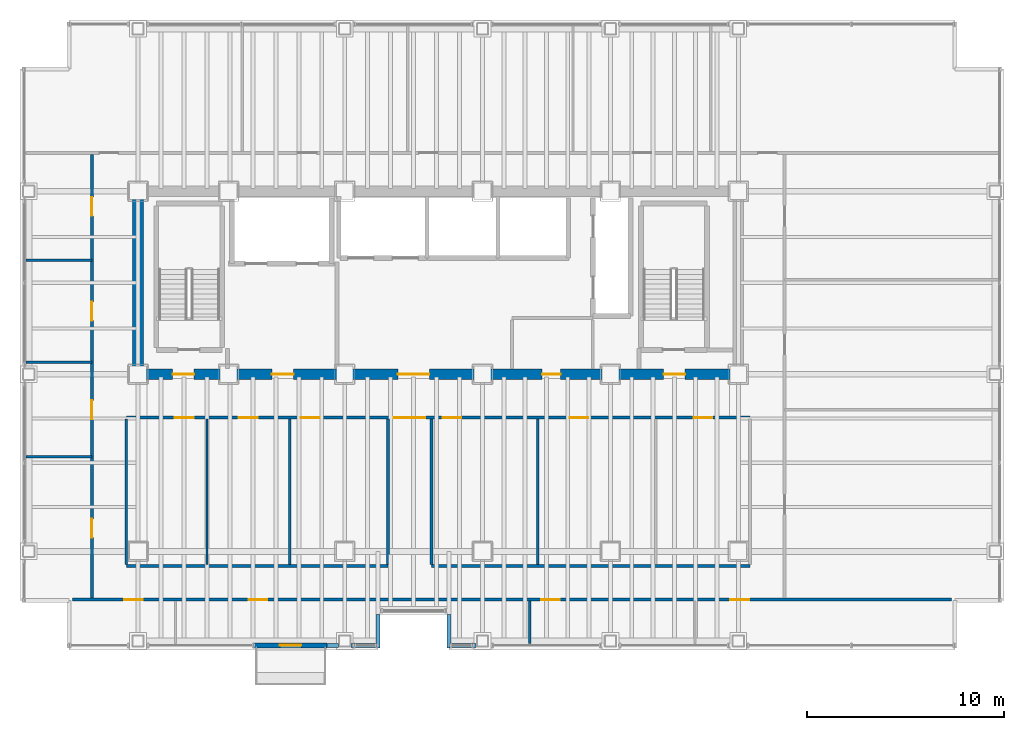
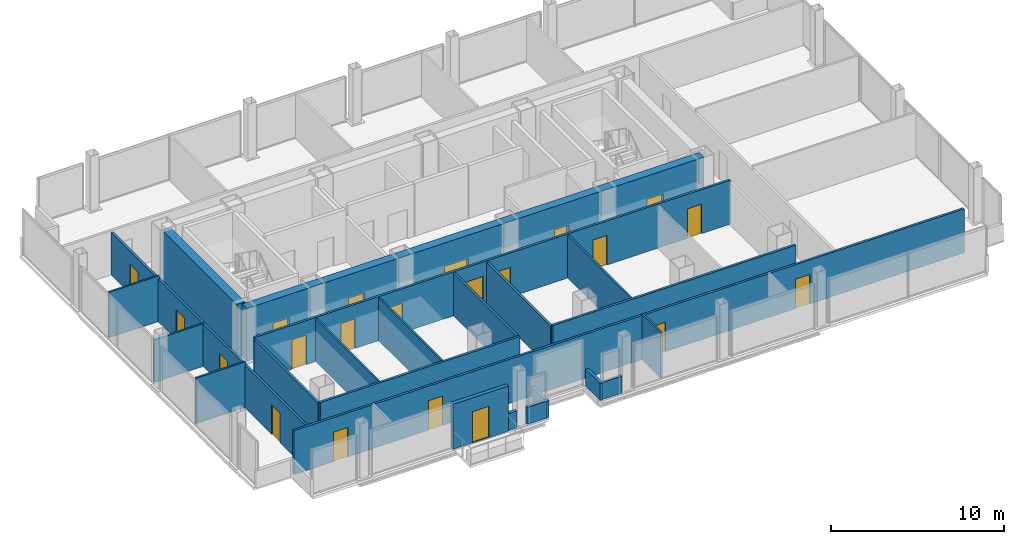
# One storey, part 17 of 20: 23 walls, 21 doors, 21 openings.
"""IFC4 building model written with IfcOpenShell, lengths in metres."""

from ifc_helpers import new_model, si_unit, direction, frame, frame_2d, origin, place, context, subcontext, project, spatial, rectangle, extrude, material, layer, layer_set, type_object, element, fill, save


model = new_model("IFC4")

# Units and contexts
model_context = context("Model", 3, precision=1e-05, world=origin(), true_north=direction((0.0, 1.0)))
body_context = subcontext(model_context, "Body", "Model", "MODEL_VIEW")
ifc_project = project(units=[si_unit("LENGTHUNIT", "METRE"), si_unit("AREAUNIT", "SQUARE_METRE"), si_unit("VOLUMEUNIT", "CUBIC_METRE"), si_unit("PLANEANGLEUNIT", "RADIAN"), si_unit("MASSUNIT", "GRAM", prefix="KILO")], contexts=[model_context])

# Site, building, storey
site_placement = place(None, origin())
site = spatial("IfcSite", under=ifc_project, at=site_placement, CompositionType="ELEMENT")
building_placement = place(site_placement, origin())
building = spatial("IfcBuilding", under=site, at=building_placement, Name="Noeulbin Bourse Tower", CompositionType="ELEMENT")
storey_placement = place(building_placement, frame((0.0, 0.0, 57.699951171875)))
storey = spatial("IfcBuildingStorey", under=building, at=storey_placement, Name="L14", CompositionType="ELEMENT", Elevation=57.699951171875)

# Wall, openings, doors
ifc_material_1 = material(Name="Concrete C60/75", Category="concrete")
ifc_layer_1 = layer(ifc_material_1, 0.550048828125)
ifc_layer_set_1 = layer_set([ifc_layer_1], Name="Concrete C60/75")
wall_type_1 = type_object("IfcWallType", Name="WAL-CORE-550", PredefinedType="SHEAR", material=ifc_layer_set_1)
wall_1_placement = place(storey_placement, frame((13.5, 29.0, 0.0), z_axis=(0.0, 0.0, 1.0), x_axis=(1.0, 0.0, 0.0)))
wall_1 = element("IfcWall", 1, at=wall_1_placement, inside=storey, type_object=wall_type_1, Name="Rear Core South Shear Wall L14", PredefinedType="SHEAR", context=body_context, shape_type="SweptSolid", body=[
    extrude(rectangle(XDim=30.5, YDim=0.550048828125, at=frame_2d((15.25, 0.0))), origin(), (0.0, 0.0, 1.0), 3.719970703125),
])
opening_1_placement = place(wall_1_placement, frame((1.75, 0.0, 0.0)))
opening_1 = element("IfcOpeningElement", 2, at=opening_1_placement, cuts=wall_1, Name="Opening FD-11", PredefinedType="OPENING", context=body_context, shape_type="SweptSolid", body=[
    extrude(rectangle(XDim=1.10009765625, YDim=2.080078125, at=frame_2d((0.550048828125, 1.0400390625))), frame((0.0, 0.284912109375, 0.0), z_axis=(0.0, -1.0, 0.0), x_axis=(1.0, 0.0, 0.0)), (0.0, 0.0, 1.0), 0.570068359375),
])
opening_2_placement = place(wall_1_placement, frame((26.699951171875, 0.0, 0.0)))
opening_2 = element("IfcOpeningElement", 3, at=opening_2_placement, cuts=wall_1, Name="Opening FD-11", PredefinedType="OPENING", context=body_context, shape_type="SweptSolid", body=[
    extrude(rectangle(XDim=1.10009765625, YDim=2.080078125, at=frame_2d((0.550048828125, 1.0400390625))), frame((0.0, 0.284912109375, 0.0), z_axis=(0.0, -1.0, 0.0), x_axis=(1.0, 0.0, 0.0)), (0.0, 0.0, 1.0), 0.570068359375),
])
opening_3_placement = place(wall_1_placement, frame((6.800048828125, 0.0, 0.0)))
opening_3 = element("IfcOpeningElement", 4, at=opening_3_placement, cuts=wall_1, Name="Opening FD-11", PredefinedType="OPENING", context=body_context, shape_type="SweptSolid", body=[
    extrude(rectangle(XDim=1.10009765625, YDim=2.080078125, at=frame_2d((0.550048828125, 1.0400390625))), frame((0.0, 0.284912109375, 0.0), z_axis=(0.0, -1.0, 0.0), x_axis=(1.0, 0.0, 0.0)), (0.0, 0.0, 1.0), 0.570068359375),
])
opening_4_placement = place(wall_1_placement, frame((13.199951171875, 0.0, 0.0)))
opening_4 = element("IfcOpeningElement", 5, at=opening_4_placement, cuts=wall_1, Name="Opening ID-16", PredefinedType="OPENING", context=body_context, shape_type="SweptSolid", body=[
    extrude(rectangle(XDim=1.60009765625, YDim=2.080078125, at=frame_2d((0.800048828125, 1.0400390625))), frame((0.0, 0.284912109375, 0.0), z_axis=(0.0, -1.0, 0.0), x_axis=(1.0, 0.0, 0.0)), (0.0, 0.0, 1.0), 0.570068359375),
])
opening_5_placement = place(wall_1_placement, frame((20.52490234375, 0.0, 0.0)))
opening_5 = element("IfcOpeningElement", 6, at=opening_5_placement, cuts=wall_1, Name="Opening ID-09", PredefinedType="OPENING", context=body_context, shape_type="SweptSolid", body=[
    extrude(rectangle(XDim=0.949951171875, YDim=2.080078125, at=frame_2d((0.47509765625, 1.0400390625))), frame((0.0, 0.284912109375, 0.0), z_axis=(0.0, -1.0, 0.0), x_axis=(1.0, 0.0, 0.0)), (0.0, 0.0, 1.0), 0.570068359375),
])
ifc_material_2 = material(Name="Acoustic Glazed Aluminium", Category="aluminium")
door_type_1 = type_object("IfcDoorType", Name="DR-DBL-1600", OperationType="DOUBLE_DOOR_SINGLE_SWING", PredefinedType="DOOR", material=ifc_material_2)
door_1_placement = place(opening_4_placement, origin())
door_1 = element("IfcDoor", 7, at=door_1_placement, inside=storey, type_object=door_type_1, Name="Passenger Lift Lobby Portal L14", OperationType="DOUBLE_DOOR_SINGLE_SWING", OverallHeight=2.080078125, OverallWidth=1.60009765625, PredefinedType="DOOR", context=body_context, shape_type="SweptSolid", body=[
    extrude(rectangle(XDim=1.60009765625, YDim=2.080078125, at=frame_2d((0.800048828125, 1.0400390625))), frame((0.0, 0.02490234375, 0.0), z_axis=(0.0, -1.0, 0.0), x_axis=(1.0, 0.0, 0.0)), (0.0, 0.0, 1.0), 0.050048828125),
])
fill(opening_4, door_1)
ifc_material_3 = material(Name="Fire-Rated Insulated Steel", Category="steel")
door_type_2 = type_object("IfcDoorType", Name="DR-FD60-1100", OperationType="SINGLE_SWING_LEFT", PredefinedType="DOOR", material=ifc_material_3)
door_2_placement = place(opening_1_placement, origin())
door_2 = element("IfcDoor", 8, at=door_2_placement, inside=storey, type_object=door_type_2, Name="West Stair Lobby Door L14", OperationType="SINGLE_SWING_LEFT", OverallHeight=2.080078125, OverallWidth=1.10009765625, PredefinedType="DOOR", context=body_context, shape_type="SweptSolid", body=[
    extrude(rectangle(XDim=1.10009765625, YDim=2.080078125, at=frame_2d((0.550048828125, 1.0400390625))), frame((0.0, 0.02490234375, 0.0), z_axis=(0.0, -1.0, 0.0), x_axis=(1.0, 0.0, 0.0)), (0.0, 0.0, 1.0), 0.050048828125),
])
fill(opening_1, door_2)
door_3_placement = place(opening_2_placement, origin())
door_3 = element("IfcDoor", 9, at=door_3_placement, inside=storey, type_object=door_type_2, Name="East Stair Lobby Door L14", OperationType="SINGLE_SWING_RIGHT", OverallHeight=2.080078125, OverallWidth=1.10009765625, PredefinedType="DOOR", context=body_context, shape_type="SweptSolid", body=[
    extrude(rectangle(XDim=1.10009765625, YDim=2.080078125, at=frame_2d((0.550048828125, 1.0400390625))), frame((0.0, 0.02490234375, 0.0), z_axis=(0.0, -1.0, 0.0), x_axis=(1.0, 0.0, 0.0)), (0.0, 0.0, 1.0), 0.050048828125),
])
fill(opening_2, door_3)
door_4_placement = place(opening_3_placement, origin())
door_4 = element("IfcDoor", 10, at=door_4_placement, inside=storey, type_object=door_type_2, Name="Firefighting Lobby Door L14", OperationType="SINGLE_SWING_LEFT", OverallHeight=2.080078125, OverallWidth=1.10009765625, PredefinedType="DOOR", context=body_context, shape_type="SweptSolid", body=[
    extrude(rectangle(XDim=1.10009765625, YDim=2.080078125, at=frame_2d((0.550048828125, 1.0400390625))), frame((0.0, 0.02490234375, 0.0), z_axis=(0.0, -1.0, 0.0), x_axis=(1.0, 0.0, 0.0)), (0.0, 0.0, 1.0), 0.050048828125),
])
fill(opening_3, door_4)
ifc_material_4 = material(Name="Acoustic Solid-Core Timber", Category="wood")
door_type_3 = type_object("IfcDoorType", Name="DR-SINGLE-950", OperationType="SINGLE_SWING_LEFT", PredefinedType="DOOR", material=ifc_material_4)
door_5_placement = place(opening_5_placement, origin())
door_5 = element("IfcDoor", 11, at=door_5_placement, inside=storey, type_object=door_type_3, Name="Interior Door L14-05", OperationType="SINGLE_SWING_LEFT", OverallHeight=2.080078125, OverallWidth=0.949951171875, PredefinedType="DOOR", context=body_context, shape_type="SweptSolid", body=[
    extrude(rectangle(XDim=0.949951171875, YDim=2.080078125, at=frame_2d((0.47509765625, 1.0400390625))), frame((0.0, 0.02490234375, 0.0), z_axis=(0.0, -1.0, 0.0), x_axis=(1.0, 0.0, 0.0)), (0.0, 0.0, 1.0), 0.050048828125),
])
fill(opening_5, door_5)

# Wall
wall_2_placement = place(storey_placement, frame((13.5, 29.35009765625, 0.0), z_axis=(0.0, 0.0, 1.0), x_axis=(0.0, 1.0, 0.0)))
element("IfcWall", 12, at=wall_2_placement, inside=storey, type_object=wall_type_1, Name="Rear Core West Shear Wall L14", PredefinedType="SHEAR", context=body_context, shape_type="SweptSolid", body=[
    extrude(rectangle(XDim=8.599853515625, YDim=0.550048828125, at=frame_2d((4.2998046875, 0.0))), origin(), (0.0, 0.0, 1.0), 3.719970703125),
])

# Wall, opening, door
ifc_material_5 = material(Name="Precast Concrete C40/50", Category="concrete")
ifc_layer_2 = layer(ifc_material_5, 0.25)
ifc_layer_set_2 = layer_set([ifc_layer_2], Name="Precast Concrete C40/50")
wall_type_2 = type_object("IfcWallType", Name="WAL-EXT-250", PredefinedType="STANDARD", material=ifc_layer_set_2)
wall_3_placement = place(storey_placement, frame((19.39990234375, 15.219970703125, 0.0), z_axis=(0.0, 0.0, 1.0), x_axis=(1.0, 0.0, 0.0)))
wall_3 = element("IfcWall", 13, at=wall_3_placement, inside=storey, type_object=wall_type_2, Name="Balcony Threshold Wall L14", PredefinedType="STANDARD", context=body_context, shape_type="SweptSolid", body=[
    extrude(rectangle(XDim=3.7001953125, YDim=0.25, at=frame_2d((1.85009765625, 0.0))), origin(), (0.0, 0.0, 1.0), 3.179931640625),
])
opening_6_placement = place(wall_3_placement, frame((1.300048828125, 0.0, 0.0)))
opening_6 = element("IfcOpeningElement", 14, at=opening_6_placement, cuts=wall_3, Name="Opening BD-11", PredefinedType="OPENING", context=body_context, shape_type="SweptSolid", body=[
    extrude(rectangle(XDim=1.10009765625, YDim=2.199951171875, at=frame_2d((0.550048828125, 1.10009765625))), frame((0.0, 0.135009765625, 0.0), z_axis=(0.0, -1.0, 0.0), x_axis=(1.0, 0.0, 0.0)), (0.0, 0.0, 1.0), 0.27001953125),
])
ifc_material_6 = material(Name="Thermally Broken Aluminium Framed Glass", Category="aluminium")
door_type_4 = type_object("IfcDoorType", Name="DR-BAL-1100", OperationType="SINGLE_SWING_LEFT", PredefinedType="DOOR", material=ifc_material_6)
door_6_placement = place(opening_6_placement, origin())
door_6 = element("IfcDoor", 15, at=door_6_placement, inside=storey, type_object=door_type_4, Name="Tree-Balcony Access Door BD-L14", OperationType="SINGLE_SWING_RIGHT", OverallHeight=2.199951171875, OverallWidth=1.10009765625, PredefinedType="DOOR", context=body_context, shape_type="SweptSolid", body=[
    extrude(rectangle(XDim=1.10009765625, YDim=2.199951171875, at=frame_2d((0.550048828125, 1.10009765625))), frame((0.0, 0.02490234375, 0.0), z_axis=(0.0, -1.0, 0.0), x_axis=(1.0, 0.0, 0.0)), (0.0, 0.0, 1.0), 0.050048828125),
])
fill(opening_6, door_6)

# Walls
ifc_material_7 = material(Name="Concrete C40/50", Category="concrete")
ifc_layer_3 = layer(ifc_material_7, 0.199951171875)
ifc_layer_set_3 = layer_set([ifc_layer_3], Name="Concrete C40/50")
wall_type_3 = type_object("IfcWallType", Name="WAL-PAR-200", PredefinedType="PARAPET", material=ifc_layer_set_3)
wall_4_placement = place(storey_placement, frame((23.10009765625, 15.219970703125, 0.0), z_axis=(0.0, 0.0, 1.0), x_axis=(1.0, 0.0, 0.0)))
element("IfcWall", 16, at=wall_4_placement, inside=storey, type_object=wall_type_3, Name="Perimeter Pier Spandrel Parapet L14-S1", PredefinedType="PARAPET", context=body_context, shape_type="SweptSolid", body=[
    extrude(rectangle(XDim=0.579833984375, YDim=0.199951171875, at=frame_2d((0.2900390625, 0.0))), origin(), (0.0, 0.0, 1.0), 1.199951171875),
])
for number, where, z_axis, x_axis, name in (
    (17, (24.320068359375, 15.219970703125, 0.0), (0.0, 0.0, 1.0), (1.0, 0.0, 0.0), "Perimeter Pier Spandrel Parapet L14-S2"),
    (18, (29.35009765625, 15.219970703125, 0.0), (0.0, 0.0, 1.0), (1.0, 0.0, 0.0), "Perimeter Pier Spandrel Parapet L14-S3"),
):
    element("IfcWall", number, at=place(storey_placement, frame(where, z_axis=z_axis, x_axis=x_axis)), inside=storey, type_object=wall_type_3, Name=name, PredefinedType="PARAPET", context=body_context, shape_type="SweptSolid", body=[
        extrude(rectangle(XDim=1.329833984375, YDim=0.199951171875, at=frame_2d((0.6650390625, 0.0))), origin(), (0.0, 0.0, 1.0), 1.199951171875),
    ])
for number, where, z_axis, x_axis, name in (
    (19, (25.699951171875, 15.10009765625, 0.0), (0.0, 0.0, 1.0), (0.0, 1.0, 0.0), "Sky-Garden Recess Parapet L14-W"),
    (20, (29.300048828125, 16.800048828125, 0.0), (0.0, 0.0, 1.0), (0.0, -1.0, 0.0), "Sky-Garden Recess Parapet L14-E"),
):
    element("IfcWall", number, at=place(storey_placement, frame(where, z_axis=z_axis, x_axis=x_axis)), inside=storey, type_object=wall_type_3, Name=name, PredefinedType="PARAPET", context=body_context, shape_type="SweptSolid", body=[
        extrude(rectangle(XDim=1.699951171875, YDim=0.199951171875, at=frame_2d((0.85009765625, 0.0))), origin(), (0.0, 0.0, 1.0), 1.199951171875),
    ])
ifc_material_8 = material(Name="Steel Stud Gypsum Partition", Category="steel")
ifc_layer_4 = layer(ifc_material_8, 0.1201171875)
ifc_layer_set_4 = layer_set([ifc_layer_4], Name="Steel Stud Gypsum Partition")
wall_type_4 = type_object("IfcWallType", Name="WAL-PRT-120", PredefinedType="PARTITIONING", material=ifc_layer_set_4)
wall_5_placement = place(storey_placement, frame((7.81005859375, 24.800048828125, 0.0), z_axis=(0.0, 0.0, 1.0), x_axis=(1.0, 0.0, 0.0)))
element("IfcWall", 21, at=wall_5_placement, inside=storey, type_object=wall_type_4, Name="Interior Partition Wall L14-07", PredefinedType="PARTITIONING", context=body_context, shape_type="SweptSolid", body=[
    extrude(rectangle(XDim=3.33984375, YDim=0.1201171875, at=frame_2d((1.669921875, 0.0))), origin(), (0.0, 0.0, 1.0), 3.212158203125),
])
wall_6_placement = place(storey_placement, frame((7.81005859375, 29.60009765625, 0.0), z_axis=(0.0, 0.0, 1.0), x_axis=(1.0, 0.0, 0.0)))
element("IfcWall", 22, at=wall_6_placement, inside=storey, type_object=wall_type_4, Name="Interior Partition Wall L14-08", PredefinedType="PARTITIONING", context=body_context, shape_type="SweptSolid", body=[
    extrude(rectangle(XDim=3.33984375, YDim=0.1201171875, at=frame_2d((1.669921875, 0.0))), origin(), (0.0, 0.0, 1.0), 3.0),
])
wall_7_placement = place(storey_placement, frame((7.81005859375, 34.800048828125, 0.0), z_axis=(0.0, 0.0, 1.0), x_axis=(1.0, 0.0, 0.0)))
element("IfcWall", 23, at=wall_7_placement, inside=storey, type_object=wall_type_4, Name="Interior Partition Wall L14-09", PredefinedType="PARTITIONING", context=body_context, shape_type="SweptSolid", body=[
    extrude(rectangle(XDim=3.33984375, YDim=0.1201171875, at=frame_2d((1.669921875, 0.0))), origin(), (0.0, 0.0, 1.0), 3.212158203125),
])
wall_8_placement = place(storey_placement, frame((33.39990234375, 15.31005859375, 0.0), z_axis=(0.0, 0.0, 1.0), x_axis=(0.0, 1.0, 0.0)))
element("IfcWall", 24, at=wall_8_placement, inside=storey, type_object=wall_type_4, Name="Interior Partition Wall L14-25", PredefinedType="PARTITIONING", context=body_context, shape_type="SweptSolid", body=[
    extrude(rectangle(XDim=2.155029296875, YDim=0.1201171875, at=frame_2d((1.07763671875, 0.0))), origin(), (0.0, 0.0, 1.0), 3.212158203125),
])
for number, where, z_axis, x_axis, name in (
    (25, (17.0, 19.3349609375, 0.0), (0.0, 0.0, 1.0), (0.0, 1.0, 0.0), "Interior Partition Wall L14-27"),
    (26, (21.199951171875, 19.3349609375, 0.0), (0.0, 0.0, 1.0), (0.0, 1.0, 0.0), "Interior Partition Wall L14-28"),
    (27, (33.800048828125, 19.3349609375, 0.0), (0.0, 0.0, 1.0), (0.0, 1.0, 0.0), "Interior Partition Wall L14-29"),
):
    element("IfcWall", number, at=place(storey_placement, frame(where, z_axis=z_axis, x_axis=x_axis)), inside=storey, type_object=wall_type_4, Name=name, PredefinedType="PARTITIONING", context=body_context, shape_type="SweptSolid", body=[
        extrude(rectangle(XDim=7.380126953125, YDim=0.1201171875, at=frame_2d((3.68994140625, 0.0))), origin(), (0.0, 0.0, 1.0), 3.0),
    ])

# Wall, openings, doors
ifc_material_9 = material(Name="Steel Stud Acoustic Gypsum Board", Category="steel")
ifc_layer_5 = layer(ifc_material_9, 0.14990234375)
ifc_layer_set_5 = layer_set([ifc_layer_5], Name="Steel Stud Acoustic Gypsum Board")
wall_type_5 = type_object("IfcWallType", Name="WAL-PRT-150", PredefinedType="PARTITIONING", material=ifc_layer_set_5)
wall_9_placement = place(storey_placement, frame((12.89990234375, 26.800048828125, 0.0), z_axis=(0.0, 0.0, 1.0), x_axis=(1.0, 0.0, 0.0)))
wall_9 = element("IfcWall", 28, at=wall_9_placement, inside=storey, type_object=wall_type_5, Name="Interior Partition Wall L14-03", PredefinedType="PARTITIONING", context=body_context, shape_type="SweptSolid", body=[
    extrude(rectangle(XDim=31.7001953125, YDim=0.14990234375, at=frame_2d((15.85009765625, 0.0))), origin(), (0.0, 0.0, 1.0), 3.10009765625),
])
opening_7_placement = place(wall_9_placement, frame((13.60009765625, 0.0, 0.0)))
opening_7 = element("IfcOpeningElement", 29, at=opening_7_placement, cuts=wall_9, Name="Opening ID-16", PredefinedType="OPENING", context=body_context, shape_type="SweptSolid", body=[
    extrude(rectangle(XDim=1.60009765625, YDim=2.080078125, at=frame_2d((0.800048828125, 1.0400390625))), frame((0.0, 0.0849609375, 0.0), z_axis=(0.0, -1.0, 0.0), x_axis=(1.0, 0.0, 0.0)), (0.0, 0.0, 1.0), 0.169921875),
])
opening_8_placement = place(wall_9_placement, frame((2.47509765625, 0.0, 0.0)))
opening_8 = element("IfcOpeningElement", 30, at=opening_8_placement, cuts=wall_9, Name="Opening ID-09", PredefinedType="OPENING", context=body_context, shape_type="SweptSolid", body=[
    extrude(rectangle(XDim=0.949951171875, YDim=2.080078125, at=frame_2d((0.47509765625, 1.0400390625))), frame((0.0, 0.0849609375, 0.0), z_axis=(0.0, -1.0, 0.0), x_axis=(1.0, 0.0, 0.0)), (0.0, 0.0, 1.0), 0.169921875),
])
opening_9_placement = place(wall_9_placement, frame((5.72509765625, 0.0, 0.0)))
opening_9 = element("IfcOpeningElement", 31, at=opening_9_placement, cuts=wall_9, Name="Opening ID-09", PredefinedType="OPENING", context=body_context, shape_type="SweptSolid", body=[
    extrude(rectangle(XDim=0.949951171875, YDim=2.080078125, at=frame_2d((0.47509765625, 1.0400390625))), frame((0.0, 0.0849609375, 0.0), z_axis=(0.0, -1.0, 0.0), x_axis=(1.0, 0.0, 0.0)), (0.0, 0.0, 1.0), 0.169921875),
])
opening_10_placement = place(wall_9_placement, frame((8.875, 0.0, 0.0)))
opening_10 = element("IfcOpeningElement", 32, at=opening_10_placement, cuts=wall_9, Name="Opening ID-09", PredefinedType="OPENING", context=body_context, shape_type="SweptSolid", body=[
    extrude(rectangle(XDim=0.949951171875, YDim=2.080078125, at=frame_2d((0.47509765625, 1.0400390625))), frame((0.0, 0.0849609375, 0.0), z_axis=(0.0, -1.0, 0.0), x_axis=(1.0, 0.0, 0.0)), (0.0, 0.0, 1.0), 0.169921875),
])
opening_11_placement = place(wall_9_placement, frame((16.074951171875, 0.0, 0.0)))
opening_11 = element("IfcOpeningElement", 33, at=opening_11_placement, cuts=wall_9, Name="Opening ID-09", PredefinedType="OPENING", context=body_context, shape_type="SweptSolid", body=[
    extrude(rectangle(XDim=0.949951171875, YDim=2.080078125, at=frame_2d((0.47509765625, 1.0400390625))), frame((0.0, 0.0849609375, 0.0), z_axis=(0.0, -1.0, 0.0), x_axis=(1.0, 0.0, 0.0)), (0.0, 0.0, 1.0), 0.169921875),
])
opening_12_placement = place(wall_9_placement, frame((22.52490234375, 0.0, 0.0)))
opening_12 = element("IfcOpeningElement", 34, at=opening_12_placement, cuts=wall_9, Name="Opening ID-09", PredefinedType="OPENING", context=body_context, shape_type="SweptSolid", body=[
    extrude(rectangle(XDim=0.949951171875, YDim=2.080078125, at=frame_2d((0.47509765625, 1.0400390625))), frame((0.0, 0.0849609375, 0.0), z_axis=(0.0, -1.0, 0.0), x_axis=(1.0, 0.0, 0.0)), (0.0, 0.0, 1.0), 0.169921875),
])
opening_13_placement = place(wall_9_placement, frame((28.824951171875, 0.0, 0.0)))
opening_13 = element("IfcOpeningElement", 35, at=opening_13_placement, cuts=wall_9, Name="Opening ID-09", PredefinedType="OPENING", context=body_context, shape_type="SweptSolid", body=[
    extrude(rectangle(XDim=0.949951171875, YDim=2.080078125, at=frame_2d((0.47509765625, 1.0400390625))), frame((0.0, 0.0849609375, 0.0), z_axis=(0.0, -1.0, 0.0), x_axis=(1.0, 0.0, 0.0)), (0.0, 0.0, 1.0), 0.169921875),
])
door_7_placement = place(opening_7_placement, origin())
door_7 = element("IfcDoor", 36, at=door_7_placement, inside=storey, type_object=door_type_1, Name="Interior Door L14-06", OperationType="DOUBLE_DOOR_SINGLE_SWING", OverallHeight=2.080078125, OverallWidth=1.60009765625, PredefinedType="DOOR", context=body_context, shape_type="SweptSolid", body=[
    extrude(rectangle(XDim=1.60009765625, YDim=2.080078125, at=frame_2d((0.800048828125, 1.0400390625))), frame((0.0, 0.02490234375, 0.0), z_axis=(0.0, -1.0, 0.0), x_axis=(1.0, 0.0, 0.0)), (0.0, 0.0, 1.0), 0.050048828125),
])
fill(opening_7, door_7)
door_8_placement = place(opening_8_placement, origin())
door_8 = element("IfcDoor", 37, at=door_8_placement, inside=storey, type_object=door_type_3, Name="Interior Door L14-11", OperationType="SINGLE_SWING_LEFT", OverallHeight=2.080078125, OverallWidth=0.949951171875, PredefinedType="DOOR", context=body_context, shape_type="SweptSolid", body=[
    extrude(rectangle(XDim=0.949951171875, YDim=2.080078125, at=frame_2d((0.47509765625, 1.0400390625))), frame((0.0, 0.02490234375, 0.0), z_axis=(0.0, -1.0, 0.0), x_axis=(1.0, 0.0, 0.0)), (0.0, 0.0, 1.0), 0.050048828125),
])
fill(opening_8, door_8)
door_9_placement = place(opening_9_placement, origin())
door_9 = element("IfcDoor", 38, at=door_9_placement, inside=storey, type_object=door_type_3, Name="Interior Door L14-12", OperationType="SINGLE_SWING_RIGHT", OverallHeight=2.080078125, OverallWidth=0.949951171875, PredefinedType="DOOR", context=body_context, shape_type="SweptSolid", body=[
    extrude(rectangle(XDim=0.949951171875, YDim=2.080078125, at=frame_2d((0.47509765625, 1.0400390625))), frame((0.0, 0.02490234375, 0.0), z_axis=(0.0, -1.0, 0.0), x_axis=(1.0, 0.0, 0.0)), (0.0, 0.0, 1.0), 0.050048828125),
])
fill(opening_9, door_9)
door_10_placement = place(opening_10_placement, origin())
door_10 = element("IfcDoor", 39, at=door_10_placement, inside=storey, type_object=door_type_3, Name="Interior Door L14-13", OperationType="SINGLE_SWING_LEFT", OverallHeight=2.080078125, OverallWidth=0.949951171875, PredefinedType="DOOR", context=body_context, shape_type="SweptSolid", body=[
    extrude(rectangle(XDim=0.949951171875, YDim=2.080078125, at=frame_2d((0.47509765625, 1.0400390625))), frame((0.0, 0.02490234375, 0.0), z_axis=(0.0, -1.0, 0.0), x_axis=(1.0, 0.0, 0.0)), (0.0, 0.0, 1.0), 0.050048828125),
])
fill(opening_10, door_10)
door_11_placement = place(opening_11_placement, origin())
door_11 = element("IfcDoor", 40, at=door_11_placement, inside=storey, type_object=door_type_3, Name="Interior Door L14-14", OperationType="SINGLE_SWING_RIGHT", OverallHeight=2.080078125, OverallWidth=0.949951171875, PredefinedType="DOOR", context=body_context, shape_type="SweptSolid", body=[
    extrude(rectangle(XDim=0.949951171875, YDim=2.080078125, at=frame_2d((0.47509765625, 1.0400390625))), frame((0.0, 0.02490234375, 0.0), z_axis=(0.0, -1.0, 0.0), x_axis=(1.0, 0.0, 0.0)), (0.0, 0.0, 1.0), 0.050048828125),
])
fill(opening_11, door_11)
door_12_placement = place(opening_12_placement, origin())
door_12 = element("IfcDoor", 41, at=door_12_placement, inside=storey, type_object=door_type_3, Name="Interior Door L14-15", OperationType="SINGLE_SWING_LEFT", OverallHeight=2.080078125, OverallWidth=0.949951171875, PredefinedType="DOOR", context=body_context, shape_type="SweptSolid", body=[
    extrude(rectangle(XDim=0.949951171875, YDim=2.080078125, at=frame_2d((0.47509765625, 1.0400390625))), frame((0.0, 0.02490234375, 0.0), z_axis=(0.0, -1.0, 0.0), x_axis=(1.0, 0.0, 0.0)), (0.0, 0.0, 1.0), 0.050048828125),
])
fill(opening_12, door_12)
door_13_placement = place(opening_13_placement, origin())
door_13 = element("IfcDoor", 42, at=door_13_placement, inside=storey, type_object=door_type_3, Name="Interior Door L14-16", OperationType="SINGLE_SWING_RIGHT", OverallHeight=2.080078125, OverallWidth=0.949951171875, PredefinedType="DOOR", context=body_context, shape_type="SweptSolid", body=[
    extrude(rectangle(XDim=0.949951171875, YDim=2.080078125, at=frame_2d((0.47509765625, 1.0400390625))), frame((0.0, 0.02490234375, 0.0), z_axis=(0.0, -1.0, 0.0), x_axis=(1.0, 0.0, 0.0)), (0.0, 0.0, 1.0), 0.050048828125),
])
fill(opening_13, door_13)

wall_10_placement = place(storey_placement, frame((10.159912109375, 17.550048828125, 0.0), z_axis=(0.0, 0.0, 1.0), x_axis=(1.0, 0.0, 0.0)))
wall_10 = element("IfcWall", 43, at=wall_10_placement, inside=storey, type_object=wall_type_5, Name="Interior Partition Wall L14-04", PredefinedType="PARTITIONING", context=body_context, shape_type="SweptSolid", body=[
    extrude(rectangle(XDim=44.68017578125, YDim=0.14990234375, at=frame_2d((22.340087890625, 0.0))), origin(), (0.0, 0.0, 1.0), 3.10009765625),
])
opening_14_placement = place(wall_10_placement, frame((2.639892578125, 0.0, 0.0)))
opening_14 = element("IfcOpeningElement", 44, at=opening_14_placement, cuts=wall_10, Name="Opening ID-09", PredefinedType="OPENING", context=body_context, shape_type="SweptSolid", body=[
    extrude(rectangle(XDim=0.949951171875, YDim=2.080078125, at=frame_2d((0.47509765625, 1.0400390625))), frame((0.0, 0.0849609375, 0.0), z_axis=(0.0, -1.0, 0.0), x_axis=(1.0, 0.0, 0.0)), (0.0, 0.0, 1.0), 0.169921875),
])
opening_15_placement = place(wall_10_placement, frame((8.965087890625, 0.0, 0.0)))
opening_15 = element("IfcOpeningElement", 45, at=opening_15_placement, cuts=wall_10, Name="Opening ID-09", PredefinedType="OPENING", context=body_context, shape_type="SweptSolid", body=[
    extrude(rectangle(XDim=0.949951171875, YDim=2.080078125, at=frame_2d((0.47509765625, 1.0400390625))), frame((0.0, 0.0849609375, 0.0), z_axis=(0.0, -1.0, 0.0), x_axis=(1.0, 0.0, 0.0)), (0.0, 0.0, 1.0), 0.169921875),
])
opening_16_placement = place(wall_10_placement, frame((23.81494140625, 0.0, 0.0)))
opening_16 = element("IfcOpeningElement", 46, at=opening_16_placement, cuts=wall_10, Name="Opening ID-09", PredefinedType="OPENING", context=body_context, shape_type="SweptSolid", body=[
    extrude(rectangle(XDim=0.949951171875, YDim=2.080078125, at=frame_2d((0.47509765625, 1.0400390625))), frame((0.0, 0.0849609375, 0.0), z_axis=(0.0, -1.0, 0.0), x_axis=(1.0, 0.0, 0.0)), (0.0, 0.0, 1.0), 0.169921875),
])
opening_17_placement = place(wall_10_placement, frame((33.43994140625, 0.0, 0.0)))
opening_17 = element("IfcOpeningElement", 47, at=opening_17_placement, cuts=wall_10, Name="Opening ID-09", PredefinedType="OPENING", context=body_context, shape_type="SweptSolid", body=[
    extrude(rectangle(XDim=0.949951171875, YDim=2.080078125, at=frame_2d((0.47509765625, 1.0400390625))), frame((0.0, 0.0849609375, 0.0), z_axis=(0.0, -1.0, 0.0), x_axis=(1.0, 0.0, 0.0)), (0.0, 0.0, 1.0), 0.169921875),
])
door_14_placement = place(opening_14_placement, origin())
door_14 = element("IfcDoor", 48, at=door_14_placement, inside=storey, type_object=door_type_3, Name="Interior Door L14-07", OperationType="SINGLE_SWING_LEFT", OverallHeight=2.080078125, OverallWidth=0.949951171875, PredefinedType="DOOR", context=body_context, shape_type="SweptSolid", body=[
    extrude(rectangle(XDim=0.949951171875, YDim=2.080078125, at=frame_2d((0.47509765625, 1.0400390625))), frame((0.0, 0.02490234375, 0.0), z_axis=(0.0, -1.0, 0.0), x_axis=(1.0, 0.0, 0.0)), (0.0, 0.0, 1.0), 0.050048828125),
])
fill(opening_14, door_14)
door_15_placement = place(opening_15_placement, origin())
door_15 = element("IfcDoor", 49, at=door_15_placement, inside=storey, type_object=door_type_3, Name="Interior Door L14-08", OperationType="SINGLE_SWING_RIGHT", OverallHeight=2.080078125, OverallWidth=0.949951171875, PredefinedType="DOOR", context=body_context, shape_type="SweptSolid", body=[
    extrude(rectangle(XDim=0.949951171875, YDim=2.080078125, at=frame_2d((0.47509765625, 1.0400390625))), frame((0.0, 0.02490234375, 0.0), z_axis=(0.0, -1.0, 0.0), x_axis=(1.0, 0.0, 0.0)), (0.0, 0.0, 1.0), 0.050048828125),
])
fill(opening_15, door_15)
door_16_placement = place(opening_16_placement, origin())
door_16 = element("IfcDoor", 50, at=door_16_placement, inside=storey, type_object=door_type_3, Name="Interior Door L14-09", OperationType="SINGLE_SWING_LEFT", OverallHeight=2.080078125, OverallWidth=0.949951171875, PredefinedType="DOOR", context=body_context, shape_type="SweptSolid", body=[
    extrude(rectangle(XDim=0.949951171875, YDim=2.080078125, at=frame_2d((0.47509765625, 1.0400390625))), frame((0.0, 0.02490234375, 0.0), z_axis=(0.0, -1.0, 0.0), x_axis=(1.0, 0.0, 0.0)), (0.0, 0.0, 1.0), 0.050048828125),
])
fill(opening_16, door_16)
door_17_placement = place(opening_17_placement, origin())
door_17 = element("IfcDoor", 51, at=door_17_placement, inside=storey, type_object=door_type_3, Name="Interior Door L14-10", OperationType="SINGLE_SWING_RIGHT", OverallHeight=2.080078125, OverallWidth=0.949951171875, PredefinedType="DOOR", context=body_context, shape_type="SweptSolid", body=[
    extrude(rectangle(XDim=0.949951171875, YDim=2.080078125, at=frame_2d((0.47509765625, 1.0400390625))), frame((0.0, 0.02490234375, 0.0), z_axis=(0.0, -1.0, 0.0), x_axis=(1.0, 0.0, 0.0)), (0.0, 0.0, 1.0), 0.050048828125),
])
fill(opening_17, door_17)

# Walls
wall_11_placement = place(storey_placement, frame((12.89990234375, 19.25, 0.0), z_axis=(0.0, 0.0, 1.0), x_axis=(1.0, 0.0, 0.0)))
element("IfcWall", 52, at=wall_11_placement, inside=storey, type_object=wall_type_5, Name="Interior Partition Wall L14-05", PredefinedType="PARTITIONING", context=body_context, shape_type="SweptSolid", body=[
    extrude(rectangle(XDim=13.300048828125, YDim=0.14990234375, at=frame_2d((6.64990234375, 0.0))), origin(), (0.0, 0.0, 1.0), 3.10009765625),
])
wall_12_placement = place(storey_placement, frame((28.39990234375, 19.25, 0.0), z_axis=(0.0, 0.0, 1.0), x_axis=(1.0, 0.0, 0.0)))
element("IfcWall", 53, at=wall_12_placement, inside=storey, type_object=wall_type_5, Name="Interior Partition Wall L14-06", PredefinedType="PARTITIONING", context=body_context, shape_type="SweptSolid", body=[
    extrude(rectangle(XDim=16.2001953125, YDim=0.14990234375, at=frame_2d((8.10009765625, 0.0))), origin(), (0.0, 0.0, 1.0), 3.10009765625),
])
for number, where, z_axis, x_axis, name in (
    (54, (26.199951171875, 19.3349609375, 0.0), (0.0, 0.0, 1.0), (0.0, 1.0, 0.0), "Interior Partition Wall L14-18"),
    (55, (28.39990234375, 19.3349609375, 0.0), (0.0, 0.0, 1.0), (0.0, 1.0, 0.0), "Interior Partition Wall L14-19"),
):
    element("IfcWall", number, at=place(storey_placement, frame(where, z_axis=z_axis, x_axis=x_axis)), inside=storey, type_object=wall_type_5, Name=name, PredefinedType="PARTITIONING", context=body_context, shape_type="SweptSolid", body=[
        extrude(rectangle(XDim=7.380126953125, YDim=0.14990234375, at=frame_2d((3.68994140625, 0.0))), origin(), (0.0, 0.0, 1.0), 3.0),
    ])

# Wall, openings, doors
wall_13_placement = place(storey_placement, frame((11.14990234375, 17.635009765625, 0.0), z_axis=(0.0, 0.0, 1.0), x_axis=(0.0, 1.0, 0.0)))
wall_13 = element("IfcWall", 56, at=wall_13_placement, inside=storey, type_object=wall_type_5, Name="Interior Partition Wall L14-20", PredefinedType="PARTITIONING", context=body_context, shape_type="SweptSolid", body=[
    extrude(rectangle(XDim=22.530029296875, YDim=0.14990234375, at=frame_2d((11.26513671875, 0.0))), origin(), (0.0, 0.0, 1.0), 3.0),
])
opening_18_placement = place(wall_13_placement, frame((3.06494140625, 0.0, 0.0)))
opening_18 = element("IfcOpeningElement", 57, at=opening_18_placement, cuts=wall_13, Name="Opening ID-09", PredefinedType="OPENING", context=body_context, shape_type="SweptSolid", body=[
    extrude(rectangle(XDim=0.949951171875, YDim=2.080078125, at=frame_2d((0.47509765625, 1.0400390625))), frame((0.0, 0.0849609375, 0.0), z_axis=(0.0, -1.0, 0.0), x_axis=(1.0, 0.0, 0.0)), (0.0, 0.0, 1.0), 0.169921875),
])
opening_19_placement = place(wall_13_placement, frame((9.090087890625, 0.0, 0.0)))
opening_19 = element("IfcOpeningElement", 58, at=opening_19_placement, cuts=wall_13, Name="Opening ID-09", PredefinedType="OPENING", context=body_context, shape_type="SweptSolid", body=[
    extrude(rectangle(XDim=0.949951171875, YDim=2.080078125, at=frame_2d((0.47509765625, 1.0400390625))), frame((0.0, 0.0849609375, 0.0), z_axis=(0.0, -1.0, 0.0), x_axis=(1.0, 0.0, 0.0)), (0.0, 0.0, 1.0), 0.169921875),
])
opening_20_placement = place(wall_13_placement, frame((14.090087890625, 0.0, 0.0)))
opening_20 = element("IfcOpeningElement", 59, at=opening_20_placement, cuts=wall_13, Name="Opening ID-09", PredefinedType="OPENING", context=body_context, shape_type="SweptSolid", body=[
    extrude(rectangle(XDim=0.949951171875, YDim=2.080078125, at=frame_2d((0.47509765625, 1.0400390625))), frame((0.0, 0.0849609375, 0.0), z_axis=(0.0, -1.0, 0.0), x_axis=(1.0, 0.0, 0.0)), (0.0, 0.0, 1.0), 0.169921875),
])
opening_21_placement = place(wall_13_placement, frame((19.4150390625, 0.0, 0.0)))
opening_21 = element("IfcOpeningElement", 60, at=opening_21_placement, cuts=wall_13, Name="Opening ID-09", PredefinedType="OPENING", context=body_context, shape_type="SweptSolid", body=[
    extrude(rectangle(XDim=0.949951171875, YDim=2.080078125, at=frame_2d((0.47509765625, 1.0400390625))), frame((0.0, 0.0849609375, 0.0), z_axis=(0.0, -1.0, 0.0), x_axis=(1.0, 0.0, 0.0)), (0.0, 0.0, 1.0), 0.169921875),
])
door_18_placement = place(opening_18_placement, origin())
door_18 = element("IfcDoor", 61, at=door_18_placement, inside=storey, type_object=door_type_3, Name="Interior Door L14-17", OperationType="SINGLE_SWING_LEFT", OverallHeight=2.080078125, OverallWidth=0.949951171875, PredefinedType="DOOR", context=body_context, shape_type="SweptSolid", body=[
    extrude(rectangle(XDim=0.949951171875, YDim=2.080078125, at=frame_2d((0.47509765625, 1.0400390625))), frame((0.0, 0.02490234375, 0.0), z_axis=(0.0, -1.0, 0.0), x_axis=(1.0, 0.0, 0.0)), (0.0, 0.0, 1.0), 0.050048828125),
])
fill(opening_18, door_18)
door_19_placement = place(opening_19_placement, origin())
door_19 = element("IfcDoor", 62, at=door_19_placement, inside=storey, type_object=door_type_3, Name="Interior Door L14-18", OperationType="SINGLE_SWING_RIGHT", OverallHeight=2.080078125, OverallWidth=0.949951171875, PredefinedType="DOOR", context=body_context, shape_type="SweptSolid", body=[
    extrude(rectangle(XDim=0.949951171875, YDim=2.080078125, at=frame_2d((0.47509765625, 1.0400390625))), frame((0.0, 0.02490234375, 0.0), z_axis=(0.0, -1.0, 0.0), x_axis=(1.0, 0.0, 0.0)), (0.0, 0.0, 1.0), 0.050048828125),
])
fill(opening_19, door_19)
door_20_placement = place(opening_20_placement, origin())
door_20 = element("IfcDoor", 63, at=door_20_placement, inside=storey, type_object=door_type_3, Name="Interior Door L14-19", OperationType="SINGLE_SWING_LEFT", OverallHeight=2.080078125, OverallWidth=0.949951171875, PredefinedType="DOOR", context=body_context, shape_type="SweptSolid", body=[
    extrude(rectangle(XDim=0.949951171875, YDim=2.080078125, at=frame_2d((0.47509765625, 1.0400390625))), frame((0.0, 0.02490234375, 0.0), z_axis=(0.0, -1.0, 0.0), x_axis=(1.0, 0.0, 0.0)), (0.0, 0.0, 1.0), 0.050048828125),
])
fill(opening_20, door_20)
door_21_placement = place(opening_21_placement, origin())
door_21 = element("IfcDoor", 64, at=door_21_placement, inside=storey, type_object=door_type_3, Name="Interior Door L14-20", OperationType="SINGLE_SWING_RIGHT", OverallHeight=2.080078125, OverallWidth=0.949951171875, PredefinedType="DOOR", context=body_context, shape_type="SweptSolid", body=[
    extrude(rectangle(XDim=0.949951171875, YDim=2.080078125, at=frame_2d((0.47509765625, 1.0400390625))), frame((0.0, 0.02490234375, 0.0), z_axis=(0.0, -1.0, 0.0), x_axis=(1.0, 0.0, 0.0)), (0.0, 0.0, 1.0), 0.050048828125),
])
fill(opening_21, door_21)

# Wall
wall_14_placement = place(storey_placement, frame((12.89990234375, 19.3349609375, 0.0), z_axis=(0.0, 0.0, 1.0), x_axis=(0.0, 1.0, 0.0)))
element("IfcWall", 65, at=wall_14_placement, inside=storey, type_object=wall_type_5, Name="Interior Partition Wall L14-21", PredefinedType="PARTITIONING", context=body_context, shape_type="SweptSolid", body=[
    extrude(rectangle(XDim=7.380126953125, YDim=0.14990234375, at=frame_2d((3.68994140625, 0.0))), origin(), (0.0, 0.0, 1.0), 3.0),
])

save(model, "model.ifc")
